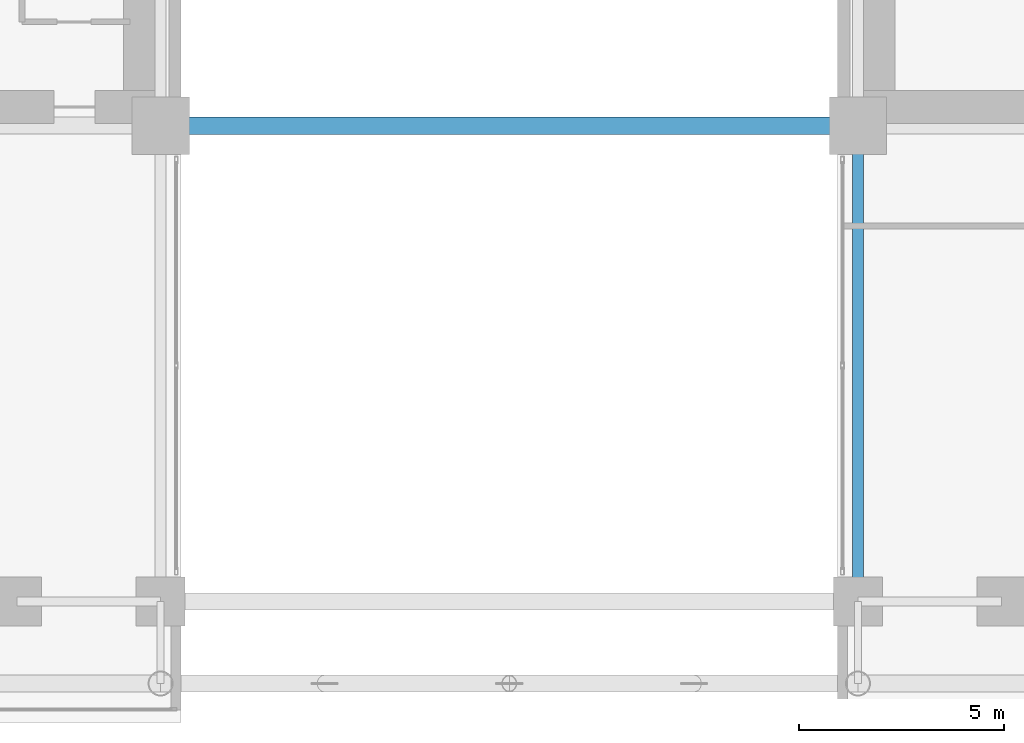
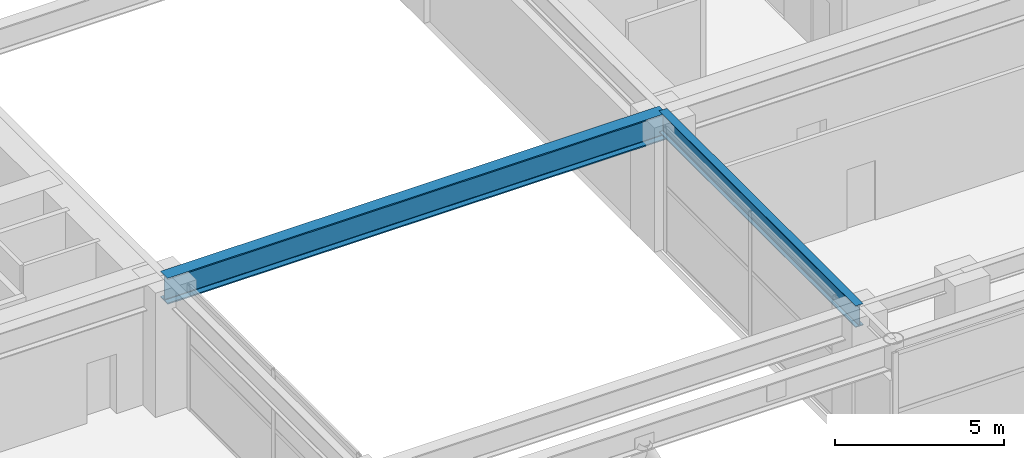
# One storey, part 10 of 30: 2 beams.
"""IFC4 building model written with IfcOpenShell, lengths in metres."""

import ifcopenshell
import ifcopenshell.guid

model = None  # the IFC model being written
_history = None  # IfcOwnerHistory: only IFC2X3 demands one
_inside = {}  # id of a spatial element -> (the spatial element, [elements in it])
_under = {}  # id of a project, library or spatial element -> (it, [spatial elements below it])
_declared = {}  # id of a project -> (the project, [libraries it declares])
_typed = {}  # id of a type object -> (the type object, [elements of that type])
_made_of = {}  # id of a material, layer set ... -> (it, [elements and type objects made of it])


def new_model(schema):
    """Start an empty IFC model of exactly this schema.

    Asked for "IFC4X3", IfcOpenShell would pick the latest addendum, in which some entities
    have other attributes; the version numbers below select the first issue.
    IFC2X3 requires an IfcOwnerHistory on every rooted entity: one is made here for all.
    """
    global model, _history
    if schema == "IFC4X3":
        model = ifcopenshell.file(schema_version=(4, 3, 0, 0))
    else:
        model = ifcopenshell.file(schema=schema)
    _inside.clear()
    _under.clear()
    _declared.clear()
    _typed.clear()
    _made_of.clear()
    _history = None
    if model.schema == "IFC2X3":
        org = make("IfcOrganization", Name="unknown")
        user = make(
            "IfcPersonAndOrganization",
            ThePerson=make("IfcPerson", FamilyName="unknown"),
            TheOrganization=org,
        )
        app = make(
            "IfcApplication",
            ApplicationDeveloper=org,
            Version="unknown",
            ApplicationFullName="unknown",
            ApplicationIdentifier="unknown",
        )
        _history = make(
            "IfcOwnerHistory",
            OwningUser=user,
            OwningApplication=app,
            ChangeAction="ADDED",
            CreationDate=0,
        )
    return model


def make(cls, **values):
    """One entity of the class cls with the attributes given. An attribute that is None is left unset."""
    return model.create_entity(
        cls, **{name: value for name, value in values.items() if value is not None}
    )


def rooted(cls, **values):
    """An entity with a GlobalId (a new one), such as an element, a storey or a relation."""
    return make(cls, GlobalId=ifcopenshell.guid.new(), OwnerHistory=_history, **values)


def si_unit(unit_type, name, prefix=None):
    """IfcSIUnit, for example si_unit("LENGTHUNIT", "METRE", prefix="MILLI")."""
    return make("IfcSIUnit", UnitType=unit_type, Prefix=prefix, Name=name)


def assignment(units):
    """IfcUnitAssignment: the units of a project."""
    return None if units is None else make("IfcUnitAssignment", Units=units)


def point(xyz):
    """IfcCartesianPoint."""
    return None if xyz is None else make("IfcCartesianPoint", Coordinates=xyz)


def direction(xyz):
    """IfcDirection."""
    return None if xyz is None else make("IfcDirection", DirectionRatios=xyz)


def frame(location, z_axis=None, x_axis=None):
    """IfcAxis2Placement3D, a coordinate frame: its origin and axes. An axis left out is left unset."""
    return make(
        "IfcAxis2Placement3D",
        Location=point(location),
        Axis=direction(z_axis),
        RefDirection=direction(x_axis),
    )


def frame_2d(location, x_axis=None):
    """IfcAxis2Placement2D, a coordinate frame in the plane: its origin and x axis."""
    return make(
        "IfcAxis2Placement2D", Location=point(location), RefDirection=direction(x_axis)
    )


def origin():
    """The frame at (0, 0, 0) with its axes left unset."""
    return frame((0.0, 0.0, 0.0))


def origin_2d():
    """The frame at (0, 0) in the plane with its x axis left unset."""
    return frame_2d((0.0, 0.0))


def place(relative_to, where):
    """IfcLocalPlacement: puts the frame where relative to a parent placement (None: the world)."""
    return make(
        "IfcLocalPlacement", PlacementRelTo=relative_to, RelativePlacement=where
    )


def context(
    kind, dimensions, precision=None, world=None, true_north=None, identifier=None
):
    """IfcGeometricRepresentationContext, for example the 3D "Model" context."""
    return make(
        "IfcGeometricRepresentationContext",
        ContextIdentifier=identifier,
        ContextType=kind,
        CoordinateSpaceDimension=dimensions,
        Precision=precision,
        WorldCoordinateSystem=world,
        TrueNorth=true_north,
    )


def subcontext(parent, identifier, kind, view, scale=None):
    """IfcGeometricRepresentationSubContext, for example "Body" below "Model"."""
    return make(
        "IfcGeometricRepresentationSubContext",
        ContextIdentifier=identifier,
        ContextType=kind,
        ParentContext=parent,
        TargetScale=scale,
        TargetView=view,
    )


def project(units=None, contexts=None):
    """IfcProject with its units and contexts."""
    return rooted(
        "IfcProject",
        Name="project",
        RepresentationContexts=contexts,
        UnitsInContext=assignment(units),
    )


def spatial(cls, under=None, at=None, **own):
    """A site, building, storey or space (cls), placed at a placement, below another one or the project."""
    s = rooted(cls, ObjectPlacement=at, **own)
    if under is not None:
        _under.setdefault(under.id(), (under, []))[1].append(s)
    return s


def profile(cls, at=None, kind="AREA", **sizes):
    """A parametric profile (cls). Its sizes go by their IFC names, for example OverallWidth=200.0."""
    return make(cls, ProfileType=kind, Position=at, **sizes)


def i_section(**sizes):
    """IfcIShapeProfileDef."""
    return profile("IfcIShapeProfileDef", **sizes)


def extrude(swept, where, along, depth):
    """IfcExtrudedAreaSolid: the profile swept, set in the frame where, extruded along a direction by depth."""
    return make(
        "IfcExtrudedAreaSolid",
        SweptArea=swept,
        Position=where,
        ExtrudedDirection=direction(along),
        Depth=depth,
    )


def shape(context_of_items, identifier, shape_type, items):
    """IfcShapeRepresentation: the items that make up one representation, for example the "Body"."""
    return make(
        "IfcShapeRepresentation",
        ContextOfItems=context_of_items,
        RepresentationIdentifier=identifier,
        RepresentationType=shape_type,
        Items=items,
    )


def source(mapping_origin, context_of_items, identifier, shape_type, items):
    """IfcRepresentationMap: a shape defined once, which mapped items show again and again."""
    return make(
        "IfcRepresentationMap",
        MappingOrigin=mapping_origin,
        MappedRepresentation=shape(context_of_items, identifier, shape_type, items),
    )


def transform(
    local_origin,
    x_axis=None,
    y_axis=None,
    z_axis=None,
    scale=None,
    scale2=None,
    scale3=None,
    uniform=True,
):
    """IfcCartesianTransformationOperator3D, or its non-uniform kind. x_axis, y_axis, z_axis: its Axis1, 2, 3."""
    if uniform:
        return make(
            "IfcCartesianTransformationOperator3D",
            Axis1=direction(x_axis),
            Axis2=direction(y_axis),
            LocalOrigin=point(local_origin),
            Scale=scale,
            Axis3=direction(z_axis),
        )
    return make(
        "IfcCartesianTransformationOperator3DnonUniform",
        Axis1=direction(x_axis),
        Axis2=direction(y_axis),
        LocalOrigin=point(local_origin),
        Scale=scale,
        Axis3=direction(z_axis),
        Scale2=scale2,
        Scale3=scale3,
    )


def mapped(mapping_source, mapping_target):
    """IfcMappedItem: shows the shape of a source again, moved by a transform."""
    return make(
        "IfcMappedItem", MappingSource=mapping_source, MappingTarget=mapping_target
    )


def material(Name=None, Category=None):
    """IfcMaterial."""
    return make("IfcMaterial", Name=Name, Category=Category)


def material_profile(
    of_material, cross_section, Name=None, Category=None, Priority=None
):
    """IfcMaterialProfile: a cross section and its material."""
    return make(
        "IfcMaterialProfile",
        Name=Name,
        Material=of_material,
        Profile=cross_section,
        Priority=Priority,
        Category=Category,
    )


def profile_set(profiles, Name=None, composite=None):
    """IfcMaterialProfileSet."""
    return make(
        "IfcMaterialProfileSet",
        Name=Name,
        MaterialProfiles=profiles,
        CompositeProfile=composite,
    )


def made_of(thing, what):
    """Note that an element or type object is made of a material, layer set ...; save() writes the relation."""
    if what is not None:
        _made_of.setdefault(what.id(), (what, []))[1].append(thing)
    return thing


def type_object(cls, material=None, **own):
    """A type object (cls), such as IfcWallType, which elements share."""
    return made_of(rooted(cls, **own), material)


def element(
    cls,
    number,
    at=None,
    inside=None,
    cuts=None,
    type_object=None,
    material=None,
    context=None,
    identifier="Body",
    shape_type=None,
    held_by="IfcProductDefinitionShape",
    body=None,
    shapes=None,
    **own,
):
    """One element of the class cls, such as IfcWall. Its Tag is "e" and its number.

    at: its placement. inside: the storey or other place that contains it. cuts: it is an
    opening in that element (IfcRelVoidsElement). A single representation is given by context,
    identifier, shape_type and body (its items); several are given by shapes. held_by: the class
    of the entity that holds the representations. save() writes the other relations.
    """
    e = rooted(cls, Tag="e%d" % number, ObjectPlacement=at, **own)
    if body is not None:
        shapes = [shape(context, identifier, shape_type, body)]
    if shapes is not None:
        e.Representation = make(held_by, Representations=shapes)
    if inside is not None:
        _inside.setdefault(inside.id(), (inside, []))[1].append(e)
    if cuts is not None:
        rooted(
            "IfcRelVoidsElement", RelatingBuildingElement=cuts, RelatedOpeningElement=e
        )
    if type_object is not None:
        _typed.setdefault(type_object.id(), (type_object, []))[1].append(e)
    return made_of(e, material)


def aggregate(whole, parts):
    """IfcRelAggregates: a whole, such as a stair, and the parts it consists of."""
    return rooted("IfcRelAggregates", RelatingObject=whole, RelatedObjects=parts)


def save(model, path):
    """Write the relations noted so far, then the file.

    IfcRelAggregates (storeys below a building ...), IfcRelContainedInSpatialStructure (elements
    in a storey), IfcRelDefinesByType, IfcRelAssociatesMaterial and IfcRelDeclares: one each for
    every whole, place, type object, material and project.
    """
    for whole, parts in _under.values():
        aggregate(whole, parts)
    for where, things in _inside.values():
        rooted(
            "IfcRelContainedInSpatialStructure",
            RelatedElements=things,
            RelatingStructure=where,
        )
    for kind, things in _typed.values():
        rooted("IfcRelDefinesByType", RelatedObjects=things, RelatingType=kind)
    for what, things in _made_of.values():
        rooted("IfcRelAssociatesMaterial", RelatedObjects=things, RelatingMaterial=what)
    for by, libraries in _declared.values():
        rooted("IfcRelDeclares", RelatingContext=by, RelatedDefinitions=libraries)
    model.write(path)


model = new_model("IFC4")

# Units and contexts
model_context = context("Model", 3, precision=1e-05, world=origin(), true_north=direction((0.0, 1.0)))
body_context = subcontext(model_context, "Body", "Model", "MODEL_VIEW")
ifc_project = project(units=[si_unit("LENGTHUNIT", "METRE"), si_unit("AREAUNIT", "SQUARE_METRE"), si_unit("VOLUMEUNIT", "CUBIC_METRE"), si_unit("PLANEANGLEUNIT", "RADIAN"), si_unit("MASSUNIT", "GRAM", prefix="KILO")], contexts=[model_context])

# Site, building, storey
site_placement = place(None, origin())
site = spatial("IfcSite", under=ifc_project, at=site_placement, CompositionType="ELEMENT")
building_placement = place(site_placement, origin())
building = spatial("IfcBuilding", under=site, at=building_placement, Name="Ocotamira Hotel", CompositionType="ELEMENT")
storey_placement = place(building_placement, frame((0.0, 0.0, 19.199951171875)))
storey = spatial("IfcBuildingStorey", under=building, at=storey_placement, Name="L04", CompositionType="ELEMENT", Elevation=19.199951171875)

# Beams
ifc_material_1 = material(Name="Steel ASTM A992 Grade 50", Category="steel")
ifc_material_profile_1 = material_profile(ifc_material_1, i_section(OverallWidth=0.26611328125, OverallDepth=0.779052734375, WebThickness=0.0166015625, FlangeThickness=0.030029296875, FilletRadius=0.01806640625, at=origin_2d()), Name="W30X148")
ifc_profile_set_1 = profile_set([ifc_material_profile_1], Name="Steel ASTM A992 Grade 50")
beam_type_1 = type_object("IfcBeamType", Name="BM-GIRD-W30X148", PredefinedType="BEAM", material=ifc_profile_set_1)
shared_shape_1 = source(origin(), body_context, "Body", "SweptSolid", [
    extrude(i_section(OverallWidth=0.26611328125, OverallDepth=0.779052734375, WebThickness=0.0166015625, FlangeThickness=0.030029296875, FilletRadius=0.01806640625, at=origin_2d()), origin(), (0.0, 0.0, 1.0), 11.60009765625),
])
beam_1_placement = place(storey_placement, frame((40.5, 2.949951171875, 4.090576171875), z_axis=(0.0, 1.0, 0.0), x_axis=(-1.0, 0.0, 0.0)))
element("IfcBeam", 1, at=beam_1_placement, inside=storey, type_object=beam_type_1, Name="L04 Beam X40.5 Y2.95-14.55", PredefinedType="BEAM", context=body_context, shape_type="MappedRepresentation", body=[
    mapped(shared_shape_1, transform((0.0, 0.0, 0.0), scale=1.0)),
])
ifc_material_2 = material(Name="Steel ASTM A913 Grade 65", Category="steel")
ifc_material_profile_2 = material_profile(ifc_material_2, i_section(OverallWidth=0.423095703125, OverallDepth=0.947998046875, WebThickness=0.02392578125, FlangeThickness=0.042724609375, FilletRadius=0.02392578125, at=origin_2d()), Name="W36X302")
ifc_profile_set_2 = profile_set([ifc_material_profile_2], Name="Steel ASTM A913 Grade 65")
beam_type_2 = type_object("IfcBeamType", Name="BM-TRUSS-W36X302", PredefinedType="BEAM", material=ifc_profile_set_2)
shared_shape_2 = source(origin(), body_context, "Body", "SweptSolid", [
    extrude(i_section(OverallWidth=0.423095703125, OverallDepth=0.947998046875, WebThickness=0.02392578125, FlangeThickness=0.042724609375, FilletRadius=0.02392578125, at=origin_2d()), origin(), (0.0, 0.0, 1.0), 17.0),
])
beam_2_placement = place(storey_placement, frame((23.5, 14.550048828125, 4.006103515625), z_axis=(1.0, 0.0, 0.0), x_axis=(0.0, 1.0, 0.0)))
element("IfcBeam", 2, at=beam_2_placement, inside=storey, type_object=beam_type_2, Name="L04 Girder Y14.55 X23.5-40.5", PredefinedType="BEAM", context=body_context, shape_type="MappedRepresentation", body=[
    mapped(shared_shape_2, transform((0.0, 0.0, 0.0), scale=1.0)),
])

save(model, "model.ifc")
